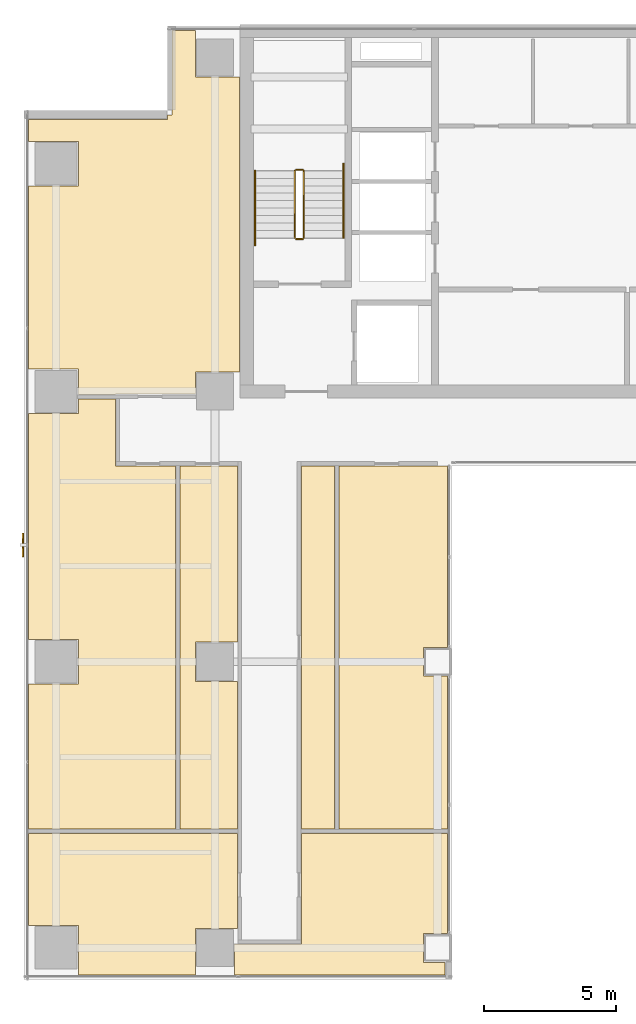
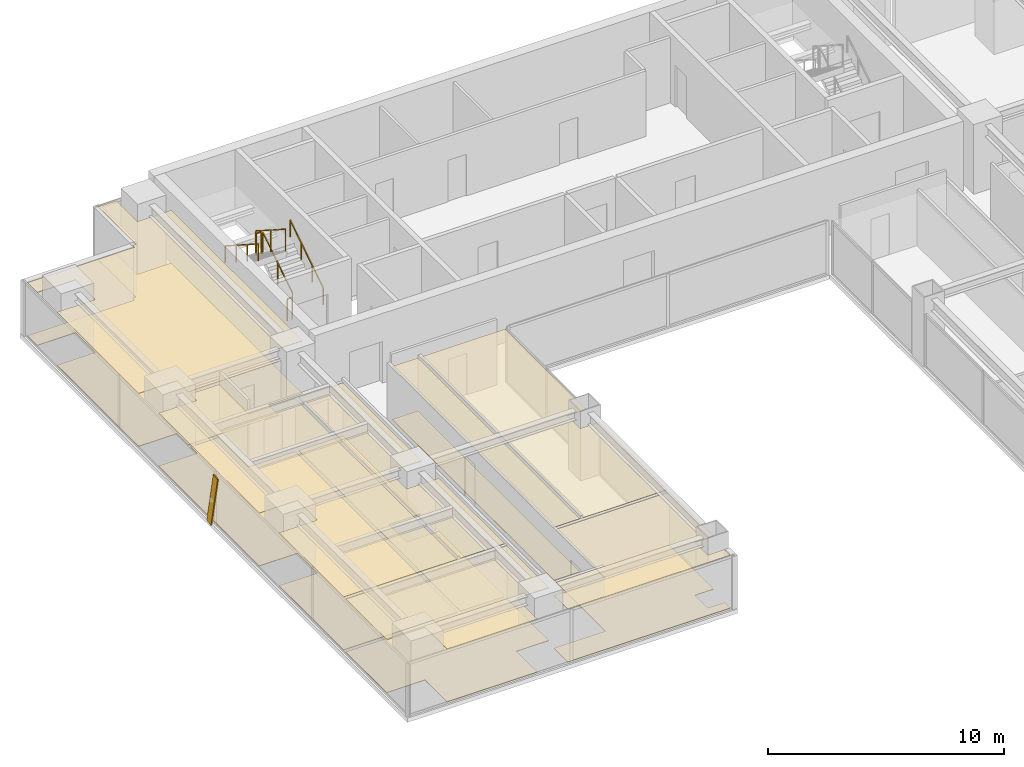
# One storey, part 27 of 29: 13 coverings, 6 railings, 1 shading device.
"""IFC4 building model written with IfcOpenShell, lengths in metres."""

from ifc_helpers import new_model, si_unit, direction, frame, origin, origin_2d, place, context, subcontext, project, spatial, polyline, rectangle, outline, extrude, source, transform, mapped, material, layer, layer_set, material_profile, profile_set, type_object, element, save


model = new_model("IFC4")

# Units and contexts
model_context = context("Model", 3, precision=1e-05, world=origin(), true_north=direction((0.0, 1.0)))
body_context = subcontext(model_context, "Body", "Model", "MODEL_VIEW")
ifc_project = project(units=[si_unit("LENGTHUNIT", "METRE"), si_unit("AREAUNIT", "SQUARE_METRE"), si_unit("VOLUMEUNIT", "CUBIC_METRE"), si_unit("PLANEANGLEUNIT", "RADIAN"), si_unit("MASSUNIT", "GRAM", prefix="KILO")], contexts=[model_context])

# Site, building, storey
site_placement = place(None, origin())
site = spatial("IfcSite", under=ifc_project, at=site_placement, CompositionType="ELEMENT")
building_placement = place(site_placement, origin())
building = spatial("IfcBuilding", under=site, at=building_placement, Name="Sumidabori Civic Tower", CompositionType="ELEMENT")
storey_placement = place(building_placement, frame((0.0, 0.0, 203.60009765625)))
storey = spatial("IfcBuildingStorey", under=building, at=storey_placement, Name="L52", CompositionType="ELEMENT", Elevation=203.60009765625)

# Coverings
ifc_material_1 = material(Name="Acoustic Mineral Gypsum Ceiling Tile")
ifc_layer_1 = layer(ifc_material_1, 0.034912109375, Name="Acoustic Mineral Gypsum Ceiling Tile")
ifc_layer_set_1 = layer_set([ifc_layer_1], Name="Acoustic Mineral Gypsum Ceiling Tile")
covering_type_1 = type_object("IfcCoveringType", Name="CV-CEIL-AC1", PredefinedType="CEILING", material=ifc_layer_set_1)
covering_1_placement = place(storey_placement, frame((0.0, 0.0, 2.72998046875)))
element("IfcCovering", 1, at=covering_1_placement, inside=storey, type_object=covering_type_1, Name="Room Acoustic Ceiling L52-01", PredefinedType="CEILING", context=body_context, shape_type="SweptSolid", body=[
    extrude(outline(polyline([(-23.830078125, 17.9599609375), (-21.9599609375, 17.9599609375), (-21.9599609375, 19.639892578125), (-23.830078125, 19.639892578125), (-23.830078125, 20.471923828125), (-18.592041015625, 20.471923828125), (-18.592041015625, 20.6298828125), (-18.429931640625, 20.6298828125), (-18.429931640625, 23.830078125), (-17.5400390625, 23.830078125), (-17.5400390625, 22.06005859375), (-15.8779296875, 22.06005859375), (-15.8779296875, 10.93994140625), (-17.5400390625, 10.93994140625), (-17.5400390625, 10.10498046875), (-20.554931640625, 10.10498046875), (-20.554931640625, 10.08740234375), (-21.9599609375, 10.08740234375), (-21.9599609375, 11.0400390625), (-23.830078125, 11.0400390625), (-23.830078125, 17.9599609375)])), origin(), (0.0, 0.0, 1.0), 0.034912109375),
])
covering_2_placement = place(storey_placement, frame((0.0, 0.0, 2.72998046875)))
element("IfcCovering", 2, at=covering_2_placement, inside=storey, type_object=covering_type_1, Name="Room Acoustic Ceiling L52-03", PredefinedType="CEILING", context=body_context, shape_type="SweptSolid", body=[
    extrude(outline(polyline([(-23.830078125, -6.3125), (-23.830078125, -0.840087890625), (-21.9599609375, -0.840087890625), (-21.9599609375, 0.840087890625), (-23.830078125, 0.840087890625), (-23.830078125, 9.360107421875), (-21.9599609375, 9.360107421875), (-21.9599609375, 9.91259765625), (-20.554931640625, 9.91259765625), (-20.554931640625, 7.39501953125), (-18.28759765625, 7.39501953125), (-18.28759765625, -6.3125), (-23.830078125, -6.3125)])), origin(), (0.0, 0.0, 1.0), 0.034912109375),
])
covering_3_placement = place(storey_placement, frame((0.0, 0.0, 2.72998046875)))
element("IfcCovering", 3, at=covering_3_placement, inside=storey, type_object=covering_type_1, Name="Room Acoustic Ceiling L52-05", PredefinedType="CEILING", context=body_context, shape_type="SweptSolid", body=[
    extrude(outline(polyline([(-18.112548828125, -6.3125), (-18.112548828125, 7.39501953125), (-15.955078125, 7.39501953125), (-15.955078125, 0.739990234375), (-17.5400390625, 0.739990234375), (-17.5400390625, -0.739990234375), (-15.955078125, -0.739990234375), (-15.955078125, -6.3125), (-18.112548828125, -6.3125)])), origin(), (0.0, 0.0, 1.0), 0.034912109375),
])
covering_4_placement = place(storey_placement, frame((0.0, 0.0, 2.72998046875)))
element("IfcCovering", 4, at=covering_4_placement, inside=storey, type_object=covering_type_1, Name="Room Acoustic Ceiling L52-06", PredefinedType="CEILING", context=body_context, shape_type="SweptSolid", body=[
    extrude(outline(polyline([(-12.112548828125, 7.39501953125), (-8.02001953125, 7.39501953125), (-8.02001953125, 0.5400390625), (-8.93994140625, 0.5400390625), (-8.93994140625, -0.5400390625), (-8.02001953125, -0.5400390625), (-8.02001953125, -6.3125), (-12.112548828125, -6.3125), (-12.112548828125, 7.39501953125)])), origin(), (0.0, 0.0, 1.0), 0.034912109375),
])
covering_5_placement = place(storey_placement, frame((0.0, 0.0, 2.72998046875)))
element("IfcCovering", 5, at=covering_5_placement, inside=storey, type_object=covering_type_1, Name="Room Acoustic Ceiling L52-09", PredefinedType="CEILING", context=body_context, shape_type="SweptSolid", body=[
    extrude(outline(polyline([(-13.544921875, 7.39501953125), (-12.28759765625, 7.39501953125), (-12.28759765625, -6.3125), (-13.544921875, -6.3125), (-13.544921875, 7.39501953125)])), origin(), (0.0, 0.0, 1.0), 0.034912109375),
])
covering_6_placement = place(storey_placement, frame((0.0, 0.0, 2.72998046875)))
element("IfcCovering", 6, at=covering_6_placement, inside=storey, type_object=covering_type_1, Name="Room Acoustic Ceiling L52-11", PredefinedType="CEILING", context=body_context, shape_type="SweptSolid", body=[
    extrude(outline(polyline([(-23.830078125, -6.487548828125), (-15.955078125, -6.487548828125), (-15.955078125, -10.06005859375), (-17.5400390625, -10.06005859375), (-17.5400390625, -11.830078125), (-21.9599609375, -11.830078125), (-21.9599609375, -9.9599609375), (-23.830078125, -9.9599609375), (-23.830078125, -6.487548828125)])), origin(), (0.0, 0.0, 1.0), 0.034912109375),
])
covering_7_placement = place(storey_placement, frame((0.0, 0.0, 2.72998046875)))
element("IfcCovering", 7, at=covering_7_placement, inside=storey, type_object=covering_type_1, Name="Room Acoustic Ceiling L52-13", PredefinedType="CEILING", context=body_context, shape_type="SweptSolid", body=[
    extrude(outline(polyline([(-16.06005859375, -10.655029296875), (-13.544921875, -10.655029296875), (-13.544921875, -6.487548828125), (-8.02001953125, -6.487548828125), (-8.02001953125, -10.260009765625), (-8.93994140625, -10.260009765625), (-8.93994140625, -11.340087890625), (-8.117919921875, -11.341796875), (-8.117919921875, -11.830078125), (-16.06005859375, -11.830078125), (-16.06005859375, -10.655029296875)])), origin(), (0.0, 0.0, 1.0), 0.034912109375),
])
ifc_material_2 = material(Name="Honed Terrazzo Tile Flooring")
ifc_layer_2 = layer(ifc_material_2, 0.030029296875, Name="Honed Terrazzo Tile Flooring")
ifc_layer_set_2 = layer_set([ifc_layer_2], Name="Honed Terrazzo Tile Flooring")
covering_type_2 = type_object("IfcCoveringType", Name="CV-FLR-TER", PredefinedType="FLOORING", material=ifc_layer_set_2)
covering_8_placement = place(storey_placement, origin())
element("IfcCovering", 8, at=covering_8_placement, inside=storey, type_object=covering_type_2, Name="Room Terrazzo Floor L52-01", PredefinedType="FLOORING", context=body_context, shape_type="SweptSolid", body=[
    extrude(outline(polyline([(-23.830078125, 17.9599609375), (-21.9599609375, 17.9599609375), (-21.9599609375, 19.639892578125), (-23.830078125, 19.639892578125), (-23.830078125, 20.471923828125), (-18.592041015625, 20.471923828125), (-18.592041015625, 20.6298828125), (-18.429931640625, 20.6298828125), (-18.429931640625, 23.830078125), (-17.5400390625, 23.830078125), (-17.5400390625, 22.06005859375), (-15.8779296875, 22.06005859375), (-15.8779296875, 10.93994140625), (-17.5400390625, 10.93994140625), (-17.5400390625, 10.10498046875), (-20.554931640625, 10.10498046875), (-20.554931640625, 10.08740234375), (-21.9599609375, 10.08740234375), (-21.9599609375, 11.0400390625), (-23.830078125, 11.0400390625), (-23.830078125, 17.9599609375)])), origin(), (0.0, 0.0, 1.0), 0.02978515625),
])
covering_9_placement = place(storey_placement, origin())
element("IfcCovering", 9, at=covering_9_placement, inside=storey, type_object=covering_type_2, Name="Room Terrazzo Floor L52-03", PredefinedType="FLOORING", context=body_context, shape_type="SweptSolid", body=[
    extrude(outline(polyline([(-23.830078125, -6.3125), (-23.830078125, -0.840087890625), (-21.9599609375, -0.840087890625), (-21.9599609375, 0.840087890625), (-23.830078125, 0.840087890625), (-23.830078125, 9.360107421875), (-21.9599609375, 9.360107421875), (-21.9599609375, 9.91259765625), (-20.554931640625, 9.91259765625), (-20.554931640625, 7.39501953125), (-18.28759765625, 7.39501953125), (-18.28759765625, -6.3125), (-23.830078125, -6.3125)])), origin(), (0.0, 0.0, 1.0), 0.02978515625),
])
covering_10_placement = place(storey_placement, origin())
element("IfcCovering", 10, at=covering_10_placement, inside=storey, type_object=covering_type_2, Name="Room Terrazzo Floor L52-05", PredefinedType="FLOORING", context=body_context, shape_type="SweptSolid", body=[
    extrude(outline(polyline([(-18.112548828125, -6.3125), (-18.112548828125, 7.39501953125), (-15.955078125, 7.39501953125), (-15.955078125, 0.739990234375), (-17.5400390625, 0.739990234375), (-17.5400390625, -0.739990234375), (-15.955078125, -0.739990234375), (-15.955078125, -6.3125), (-18.112548828125, -6.3125)])), origin(), (0.0, 0.0, 1.0), 0.02978515625),
])
covering_11_placement = place(storey_placement, origin())
element("IfcCovering", 11, at=covering_11_placement, inside=storey, type_object=covering_type_2, Name="Room Terrazzo Floor L52-09", PredefinedType="FLOORING", context=body_context, shape_type="SweptSolid", body=[
    extrude(outline(polyline([(-13.544921875, 7.39501953125), (-12.28759765625, 7.39501953125), (-12.28759765625, -6.3125), (-13.544921875, -6.3125), (-13.544921875, 7.39501953125)])), origin(), (0.0, 0.0, 1.0), 0.02978515625),
])
covering_12_placement = place(storey_placement, origin())
element("IfcCovering", 12, at=covering_12_placement, inside=storey, type_object=covering_type_2, Name="Room Terrazzo Floor L52-11", PredefinedType="FLOORING", context=body_context, shape_type="SweptSolid", body=[
    extrude(outline(polyline([(-23.830078125, -6.487548828125), (-15.955078125, -6.487548828125), (-15.955078125, -10.06005859375), (-17.5400390625, -10.06005859375), (-17.5400390625, -11.830078125), (-21.9599609375, -11.830078125), (-21.9599609375, -9.9599609375), (-23.830078125, -9.9599609375), (-23.830078125, -6.487548828125)])), origin(), (0.0, 0.0, 1.0), 0.02978515625),
])
covering_13_placement = place(storey_placement, origin())
element("IfcCovering", 13, at=covering_13_placement, inside=storey, type_object=covering_type_2, Name="Room Terrazzo Floor L52-13", PredefinedType="FLOORING", context=body_context, shape_type="SweptSolid", body=[
    extrude(outline(polyline([(-16.06005859375, -10.655029296875), (-13.544921875, -10.655029296875), (-13.544921875, -6.487548828125), (-8.02001953125, -6.487548828125), (-8.02001953125, -10.260009765625), (-8.93994140625, -10.260009765625), (-8.93994140625, -11.340087890625), (-8.117919921875, -11.341796875), (-8.117919921875, -11.830078125), (-16.06005859375, -11.830078125), (-16.06005859375, -10.655029296875)])), origin(), (0.0, 0.0, 1.0), 0.02978515625),
])

# Railings
ifc_material_3 = material(Name="Stainless Steel Hairline Finish", Category="steel")
railing_type_1 = type_object("IfcRailingType", Name="RL-HANDRAIL", PredefinedType="HANDRAIL", material=ifc_material_3)
railing_1_placement = place(storey_placement, frame((-11.949951171875, 16.0, 0.179931640625)))
element("IfcRailing", 14, at=railing_1_placement, inside=storey, type_object=railing_type_1, Name="L52 ST-1 stair handrail 1", PredefinedType="HANDRAIL", context=body_context, shape_type="SweptSolid", body=[
    extrude(rectangle(XDim=0.048095703125, YDim=0.048095703125, at=origin_2d()), frame((0.0, 0.0, 0.8759765625), z_axis=(0.0, 0.840675598268, 0.541539046124), x_axis=(-1.0, 0.0, 0.0)), (0.0, 0.0, 1.0), 3.330810546875),
    extrude(rectangle(XDim=0.0419921875, YDim=0.0419921875, at=origin_2d()), origin(), (0.0, 0.0, 1.0), 0.851806640625),
    extrude(rectangle(XDim=0.0419921875, YDim=0.0419921875, at=origin_2d()), frame((0.0, 0.933349609375, 0.601318359375)), (0.0, 0.0, 1.0), 0.851806640625),
    extrude(rectangle(XDim=0.0419921875, YDim=0.0419921875, at=origin_2d()), frame((0.0, 1.86669921875, 1.202392578125)), (0.0, 0.0, 1.0), 0.851806640625),
    extrude(rectangle(XDim=0.0419921875, YDim=0.0419921875, at=origin_2d()), frame((0.0, 2.800048828125, 1.8037109375)), (0.0, 0.0, 1.0), 0.851806640625),
])
railing_2_placement = place(storey_placement, frame((-15.2900390625, 18.52001953125, 1.97998046875)))
element("IfcRailing", 15, at=railing_2_placement, inside=storey, type_object=railing_type_1, Name="L52 ST-1 stair handrail 2", PredefinedType="HANDRAIL", context=body_context, shape_type="SweptSolid", body=[
    extrude(rectangle(XDim=0.048095703125, YDim=0.048095703125, at=origin_2d()), frame((0.0, 0.0, 0.8759765625), z_axis=(0.0, -0.840675598268, 0.541539046124), x_axis=(1.0, 0.0, 0.0)), (0.0, 0.0, 1.0), 3.330810546875),
    extrude(rectangle(XDim=0.0419921875, YDim=0.0419921875, at=origin_2d()), origin(), (0.0, 0.0, 1.0), 0.851806640625),
    extrude(rectangle(XDim=0.0419921875, YDim=0.0419921875, at=origin_2d()), frame((0.0, -0.933349609375, 0.601318359375)), (0.0, 0.0, 1.0), 0.851806640625),
    extrude(rectangle(XDim=0.0419921875, YDim=0.0419921875, at=origin_2d()), frame((0.0, -1.86669921875, 1.202392578125)), (0.0, 0.0, 1.0), 0.851806640625),
    extrude(rectangle(XDim=0.0419921875, YDim=0.0419921875, at=origin_2d()), frame((0.0, -2.800048828125, 1.8037109375)), (0.0, 0.0, 1.0), 0.851806640625),
])
ifc_material_4 = material(Name="Steel SN490", Category="steel")
railing_type_2 = type_object("IfcRailingType", Name="RL-STAIR-GUARD", PredefinedType="GUARDRAIL", material=ifc_material_4)
railing_3_placement = place(storey_placement, frame((-13.449951171875, 16.0, 0.179931640625)))
element("IfcRailing", 16, at=railing_3_placement, inside=storey, type_object=railing_type_2, Name="L52 ST-1 stair guard 1", PredefinedType="GUARDRAIL", context=body_context, shape_type="SweptSolid", body=[
    extrude(rectangle(XDim=0.048095703125, YDim=0.048095703125, at=origin_2d()), frame((0.0, 0.0, 1.1259765625), z_axis=(0.0, 0.841199657755, 0.540724639528), x_axis=(-1.0, 0.0, 0.0)), (0.0, 0.0, 1.0), 2.995849609375),
    extrude(rectangle(XDim=0.0419921875, YDim=0.0419921875, at=origin_2d()), origin(), (0.0, 0.0, 1.0), 1.101806640625),
    extrude(rectangle(XDim=0.0419921875, YDim=0.0419921875, at=origin_2d()), frame((0.0, 1.260009765625, 0.81005859375)), (0.0, 0.0, 1.0), 1.101806640625),
    extrude(rectangle(XDim=0.0419921875, YDim=0.0419921875, at=origin_2d()), frame((0.0, 2.52001953125, 1.619873046875)), (0.0, 0.0, 1.0), 1.101806640625),
])
railing_4_placement = place(storey_placement, frame((-13.5, 18.570068359375, 1.7998046875)))
element("IfcRailing", 17, at=railing_4_placement, inside=storey, type_object=railing_type_2, Name="L52 ST-1 stair guard 2", PredefinedType="GUARDRAIL", context=body_context, shape_type="SweptSolid", body=[
    extrude(rectangle(XDim=0.048095703125, YDim=0.048095703125, at=origin_2d()), frame((0.0, 0.0, 1.1259765625), z_axis=(-1.0, 0.0, 0.0), x_axis=(0.0, -1.0, 0.0)), (0.0, 0.0, 1.0), 0.239990234375),
    extrude(rectangle(XDim=0.0419921875, YDim=0.0419921875, at=origin_2d()), origin(), (0.0, 0.0, 1.0), 1.101806640625),
    extrude(rectangle(XDim=0.0419921875, YDim=0.0419921875, at=origin_2d()), frame((-0.239990234375, 0.0, 0.0)), (0.0, 0.0, 1.0), 1.101806640625),
])
railing_5_placement = place(storey_placement, frame((-13.7900390625, 18.52001953125, 1.97998046875)))
element("IfcRailing", 18, at=railing_5_placement, inside=storey, type_object=railing_type_2, Name="L52 ST-1 stair guard 3", PredefinedType="GUARDRAIL", context=body_context, shape_type="SweptSolid", body=[
    extrude(rectangle(XDim=0.048095703125, YDim=0.048095703125, at=origin_2d()), frame((0.0, 0.0, 1.1259765625), z_axis=(0.0, -0.841199657755, 0.540724639528), x_axis=(1.0, 0.0, 0.0)), (0.0, 0.0, 1.0), 2.995849609375),
    extrude(rectangle(XDim=0.0419921875, YDim=0.0419921875, at=origin_2d()), origin(), (0.0, 0.0, 1.0), 1.101806640625),
    extrude(rectangle(XDim=0.0419921875, YDim=0.0419921875, at=origin_2d()), frame((0.0, -1.260009765625, 0.81005859375)), (0.0, 0.0, 1.0), 1.101806640625),
    extrude(rectangle(XDim=0.0419921875, YDim=0.0419921875, at=origin_2d()), frame((0.0, -2.52001953125, 1.619873046875)), (0.0, 0.0, 1.0), 1.101806640625),
])
railing_6_placement = place(storey_placement, frame((-13.5, 15.949951171875, 0.0)))
element("IfcRailing", 19, at=railing_6_placement, inside=storey, type_object=railing_type_2, Name="L52 ST-1 stair guard 4", PredefinedType="GUARDRAIL", context=body_context, shape_type="SweptSolid", body=[
    extrude(rectangle(XDim=0.048095703125, YDim=0.048095703125, at=origin_2d()), frame((0.0, 0.0, 1.1259765625), z_axis=(-1.0, 0.0, 0.0), x_axis=(0.0, -1.0, 0.0)), (0.0, 0.0, 1.0), 0.239990234375),
    extrude(rectangle(XDim=0.0419921875, YDim=0.0419921875, at=origin_2d()), origin(), (0.0, 0.0, 1.0), 1.101806640625),
    extrude(rectangle(XDim=0.0419921875, YDim=0.0419921875, at=origin_2d()), frame((-0.239990234375, 0.0, 0.0)), (0.0, 0.0, 1.0), 1.101806640625),
])

# Shading device
ifc_material_5 = material(Name="Anodised Bronze Aluminium AW-6063-T6", Category="aluminium")
ifc_material_profile = material_profile(ifc_material_5, rectangle(XDim=0.054931640625, YDim=0.360107421875, at=origin_2d()), Name="BRONZE FIN 360x55")
ifc_profile_set = profile_set([ifc_material_profile], Name="Anodised Bronze Aluminium AW-6063-T6")
shading_device_type = type_object("IfcShadingDeviceType", Name="SH-FIN-360", PredefinedType="USERDEFINED", material=ifc_profile_set)
shared_shape = source(origin(), body_context, "Body", "SweptSolid", [
    extrude(rectangle(XDim=0.054931640625, YDim=0.360107421875, at=origin_2d()), origin(), (0.0, 0.0, 1.0), 2.75732421875),
])
shading_device_placement = place(storey_placement, frame((-24.050048828125, 4.679931640625, 0.02001953125), z_axis=(0.0, -0.20302426177, 0.979173707333), x_axis=(-1.0, 0.0, 0.0)))
element("IfcShadingDevice", 20, at=shading_device_placement, inside=storey, type_object=shading_device_type, Name="Bronze Anodised Diagonal Fin L52-02", ObjectType="FIN", PredefinedType="USERDEFINED", context=body_context, shape_type="MappedRepresentation", body=[
    mapped(shared_shape, transform((0.0, 0.0, 0.0), x_axis=(1.0, 0.0, 0.0), y_axis=(0.0, 1.0, 0.0), z_axis=(0.0, 0.0, 1.0), scale=1.0)),
])

save(model, "model.ifc")
